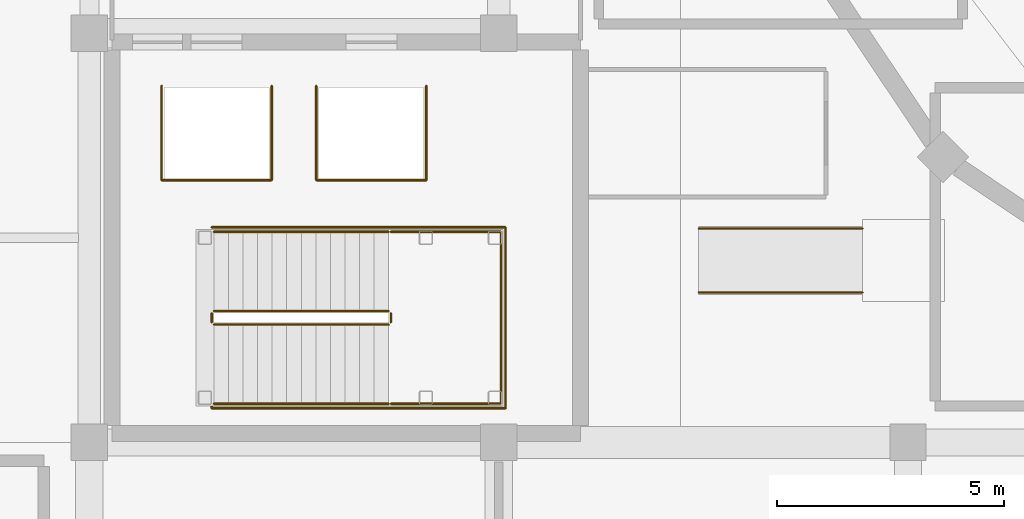
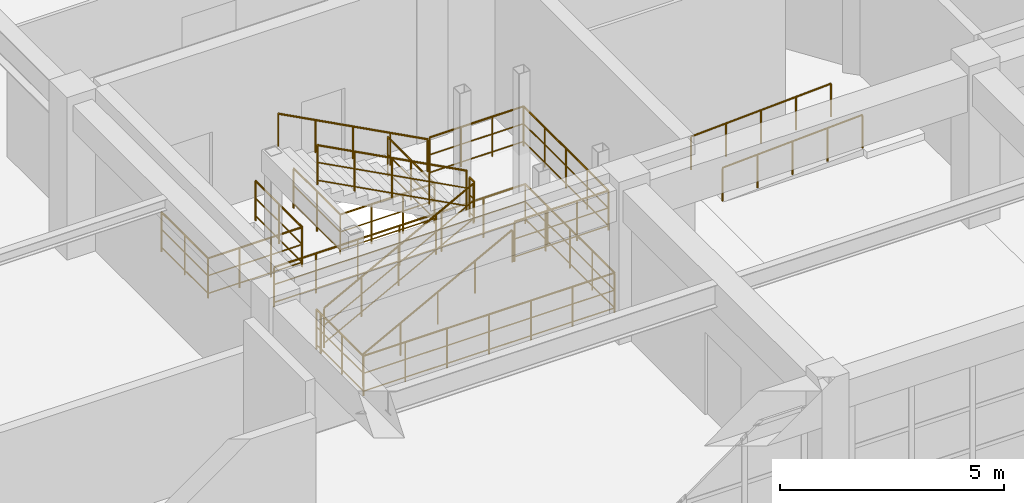
# One storey, part 121 of 133: 12 railings.
"""IFC4 building model written with IfcOpenShell, lengths in metres."""

from ifc_helpers import new_model, si_unit, direction, frame, origin, origin_2d, place, context, subcontext, project, spatial, circle, extrude, material, type_object, element, save


model = new_model("IFC4")

# Units and contexts
model_context = context("Model", 3, precision=1e-05, world=origin(), true_north=direction((0.0, 1.0)))
body_context = subcontext(model_context, "Body", "Model", "MODEL_VIEW")
ifc_project = project(units=[si_unit("LENGTHUNIT", "METRE"), si_unit("AREAUNIT", "SQUARE_METRE"), si_unit("VOLUMEUNIT", "CUBIC_METRE"), si_unit("PLANEANGLEUNIT", "RADIAN"), si_unit("MASSUNIT", "GRAM", prefix="KILO")], contexts=[model_context])

# Site, building, storey
site_placement = place(None, origin())
site = spatial("IfcSite", under=ifc_project, at=site_placement, CompositionType="ELEMENT")
building_placement = place(site_placement, origin())
building = spatial("IfcBuilding", under=site, at=building_placement, Name="Miravela Opera House", CompositionType="ELEMENT")
storey_placement = place(building_placement, frame((0.0, 0.0, 5.10009765625)))
storey = spatial("IfcBuildingStorey", under=building, at=storey_placement, Name="L01", CompositionType="ELEMENT", Elevation=5.10009765625)

# Railings
ifc_material_1 = material(Name="Brushed bronze continuous stair handrail")
railing_type_1 = type_object("IfcRailingType", Name="ARC-RAIL-HAND-900", PredefinedType="HANDRAIL", material=ifc_material_1)
railing_1_placement = place(storey_placement, frame((47.739990234375, 37.85009765625, 0.169921875)))
element("IfcRailing", 1, at=railing_1_placement, inside=storey, type_object=railing_type_1, Name="L01 ST-02 stair handrail 1", PredefinedType="HANDRAIL", context=body_context, shape_type="SweptSolid", body=[
    extrude(circle(Radius=0.02392578125, at=origin_2d()), frame((0.0, 0.0, 0.8759765625), z_axis=(0.883116446401, 0.0, 0.469153857596), x_axis=(0.0, 1.0, 0.0)), (0.0, 0.0, 1.0), 4.348388671875),
    extrude(circle(Radius=0.02099609375, at=origin_2d()), origin(), (0.0, 0.0, 1.0), 0.851806640625),
    extrude(circle(Radius=0.02099609375, at=origin_2d()), frame((0.9599609375, 0.0, 0.510009765625)), (0.0, 0.0, 1.0), 0.851806640625),
    extrude(circle(Radius=0.02099609375, at=origin_2d()), frame((1.919921875, 0.0, 1.02001953125)), (0.0, 0.0, 1.0), 0.851806640625),
    extrude(circle(Radius=0.02099609375, at=origin_2d()), frame((2.880126953125, 0.0, 1.530029296875)), (0.0, 0.0, 1.0), 0.851806640625),
    extrude(circle(Radius=0.02099609375, at=origin_2d()), frame((3.840087890625, 0.0, 2.0400390625)), (0.0, 0.0, 1.0), 0.851806640625),
])
railing_2_placement = place(storey_placement, frame((51.580078125, 41.6298828125, 2.3798828125)))
element("IfcRailing", 2, at=railing_2_placement, inside=storey, type_object=railing_type_1, Name="L01 ST-02 stair handrail 2", PredefinedType="HANDRAIL", context=body_context, shape_type="SweptSolid", body=[
    extrude(circle(Radius=0.02392578125, at=origin_2d()), frame((0.0, 0.0, 0.8759765625), z_axis=(-0.883116446401, 0.0, 0.469153857596), x_axis=(0.0, -1.0, 0.0)), (0.0, 0.0, 1.0), 4.348388671875),
    extrude(circle(Radius=0.02099609375, at=origin_2d()), origin(), (0.0, 0.0, 1.0), 0.851806640625),
    extrude(circle(Radius=0.02099609375, at=origin_2d()), frame((-0.9599609375, 0.0, 0.510009765625)), (0.0, 0.0, 1.0), 0.851806640625),
    extrude(circle(Radius=0.02099609375, at=origin_2d()), frame((-1.919921875, 0.0, 1.02001953125)), (0.0, 0.0, 1.0), 0.851806640625),
    extrude(circle(Radius=0.02099609375, at=origin_2d()), frame((-2.880126953125, 0.0, 1.530029296875)), (0.0, 0.0, 1.0), 0.851806640625),
    extrude(circle(Radius=0.02099609375, at=origin_2d()), frame((-3.840087890625, 0.0, 2.0400390625)), (0.0, 0.0, 1.0), 0.851806640625),
])
ifc_material_2 = material(Name="Brushed stainless accessible ramp handrail")
railing_type_2 = type_object("IfcRailingType", Name="ARC-RAIL-HAND-920", PredefinedType="HANDRAIL", material=ifc_material_2)
for number, where, name in (
    (3, (58.39990234375, 41.699951171875, 0.0), "Box Tier Wheelchair Position Ramp Left Handrail 0147"),
    (4, (58.39990234375, 40.300048828125, 0.0), "Box Tier Wheelchair Position Ramp Right Handrail 0148"),
):
    element("IfcRailing", number, at=place(storey_placement, frame(where)), inside=storey, type_object=railing_type_2, Name=name, PredefinedType="HANDRAIL", context=body_context, shape_type="SweptSolid", body=[
        extrude(circle(Radius=0.02197265625, at=origin_2d()), frame((0.0, 0.0, 0.89794921875), z_axis=(0.998753352096, 0.0, 0.049917348467), x_axis=(0.0, 1.0, 0.0)), (0.0, 0.0, 1.0), 3.6044921875),
        extrude(circle(Radius=0.02099609375, at=origin_2d()), origin(), (0.0, 0.0, 1.0), 0.8759765625),
        extrude(circle(Radius=0.02099609375, at=origin_2d()), frame((0.89990234375, 0.0, 0.044921875)), (0.0, 0.0, 1.0), 0.8759765625),
        extrude(circle(Radius=0.02099609375, at=origin_2d()), frame((1.800048828125, 0.0, 0.08984375)), (0.0, 0.0, 1.0), 0.8759765625),
        extrude(circle(Radius=0.02099609375, at=origin_2d()), frame((2.7001953125, 0.0, 0.135009765625)), (0.0, 0.0, 1.0), 0.8759765625),
        extrude(circle(Radius=0.02099609375, at=origin_2d()), frame((3.60009765625, 0.0, 0.179931640625)), (0.0, 0.0, 1.0), 0.8759765625),
    ])
ifc_material_3 = material(Name="Painted wrought-iron stair guardrail")
railing_type_3 = type_object("IfcRailingType", Name="ARC-RAIL-STAIR-GUARD", PredefinedType="GUARDRAIL", material=ifc_material_3)
railing_3_placement = place(storey_placement, frame((47.739990234375, 39.590087890625, 0.169921875)))
element("IfcRailing", 5, at=railing_3_placement, inside=storey, type_object=railing_type_3, Name="L01 ST-02 stair guard 1", PredefinedType="GUARDRAIL", context=body_context, shape_type="SweptSolid", body=[
    extrude(circle(Radius=0.02392578125, at=origin_2d()), frame((0.0, 0.0, 1.076171875), z_axis=(0.883116446401, 0.0, 0.469153857596), x_axis=(0.0, 1.0, 0.0)), (0.0, 0.0, 1.0), 4.348388671875),
    extrude(circle(Radius=0.01611328125, at=origin_2d()), frame((0.0, 0.0, 0.60498046875), z_axis=(0.883116446401, 0.0, 0.469153857596), x_axis=(0.0, 1.0, 0.0)), (0.0, 0.0, 1.0), 4.348388671875),
    extrude(circle(Radius=0.01611328125, at=origin_2d()), frame((0.0, 0.0, 0.1201171875), z_axis=(0.883116446401, 0.0, 0.469153857596), x_axis=(0.0, 1.0, 0.0)), (0.0, 0.0, 1.0), 4.348388671875),
    extrude(circle(Radius=0.02099609375, at=origin_2d()), origin(), (0.0, 0.0, 1.0), 1.052001953125),
    extrude(circle(Radius=0.02099609375, at=origin_2d()), frame((0.9599609375, 0.0, 0.510009765625)), (0.0, 0.0, 1.0), 1.052001953125),
    extrude(circle(Radius=0.02099609375, at=origin_2d()), frame((1.919921875, 0.0, 1.02001953125)), (0.0, 0.0, 1.0), 1.052001953125),
    extrude(circle(Radius=0.02099609375, at=origin_2d()), frame((2.880126953125, 0.0, 1.530029296875)), (0.0, 0.0, 1.0), 1.052001953125),
    extrude(circle(Radius=0.02099609375, at=origin_2d()), frame((3.840087890625, 0.0, 2.0400390625)), (0.0, 0.0, 1.0), 1.052001953125),
])
railing_4_placement = place(storey_placement, frame((51.6298828125, 39.639892578125, 2.2099609375)))
element("IfcRailing", 6, at=railing_4_placement, inside=storey, type_object=railing_type_3, Name="L01 ST-02 stair guard 2", PredefinedType="GUARDRAIL", context=body_context, shape_type="SweptSolid", body=[
    extrude(circle(Radius=0.02392578125, at=origin_2d()), frame((0.0, 0.0, 1.076171875), z_axis=(0.0, 1.0, 0.0), x_axis=(-1.0, 0.0, 0.0)), (0.0, 0.0, 1.0), 0.2001953125),
    extrude(circle(Radius=0.01611328125, at=origin_2d()), frame((0.0, 0.0, 0.60498046875), z_axis=(0.0, 1.0, 0.0), x_axis=(-1.0, 0.0, 0.0)), (0.0, 0.0, 1.0), 0.2001953125),
    extrude(circle(Radius=0.01611328125, at=origin_2d()), frame((0.0, 0.0, 0.1201171875), z_axis=(0.0, 1.0, 0.0), x_axis=(-1.0, 0.0, 0.0)), (0.0, 0.0, 1.0), 0.2001953125),
    extrude(circle(Radius=0.02099609375, at=origin_2d()), origin(), (0.0, 0.0, 1.0), 1.052001953125),
    extrude(circle(Radius=0.02099609375, at=origin_2d()), frame((0.0, 0.2001953125, 0.0)), (0.0, 0.0, 1.0), 1.052001953125),
])
railing_5_placement = place(storey_placement, frame((51.580078125, 39.889892578125, 2.3798828125)))
element("IfcRailing", 7, at=railing_5_placement, inside=storey, type_object=railing_type_3, Name="L01 ST-02 stair guard 3", PredefinedType="GUARDRAIL", context=body_context, shape_type="SweptSolid", body=[
    extrude(circle(Radius=0.02392578125, at=origin_2d()), frame((0.0, 0.0, 1.076171875), z_axis=(-0.883116446401, 0.0, 0.469153857596), x_axis=(0.0, -1.0, 0.0)), (0.0, 0.0, 1.0), 4.348388671875),
    extrude(circle(Radius=0.01611328125, at=origin_2d()), frame((0.0, 0.0, 0.60498046875), z_axis=(-0.883116446401, 0.0, 0.469153857596), x_axis=(0.0, -1.0, 0.0)), (0.0, 0.0, 1.0), 4.348388671875),
    extrude(circle(Radius=0.01611328125, at=origin_2d()), frame((0.0, 0.0, 0.1201171875), z_axis=(-0.883116446401, 0.0, 0.469153857596), x_axis=(0.0, -1.0, 0.0)), (0.0, 0.0, 1.0), 4.348388671875),
    extrude(circle(Radius=0.02099609375, at=origin_2d()), origin(), (0.0, 0.0, 1.0), 1.052001953125),
    extrude(circle(Radius=0.02099609375, at=origin_2d()), frame((-0.9599609375, 0.0, 0.510009765625)), (0.0, 0.0, 1.0), 1.052001953125),
    extrude(circle(Radius=0.02099609375, at=origin_2d()), frame((-1.919921875, 0.0, 1.02001953125)), (0.0, 0.0, 1.0), 1.052001953125),
    extrude(circle(Radius=0.02099609375, at=origin_2d()), frame((-2.880126953125, 0.0, 1.530029296875)), (0.0, 0.0, 1.0), 1.052001953125),
    extrude(circle(Radius=0.02099609375, at=origin_2d()), frame((-3.840087890625, 0.0, 2.0400390625)), (0.0, 0.0, 1.0), 1.052001953125),
])
railing_6_placement = place(storey_placement, frame((47.68994140625, 39.639892578125, 0.0)))
element("IfcRailing", 8, at=railing_6_placement, inside=storey, type_object=railing_type_3, Name="L01 ST-02 stair guard 4", PredefinedType="GUARDRAIL", context=body_context, shape_type="SweptSolid", body=[
    extrude(circle(Radius=0.02392578125, at=origin_2d()), frame((0.0, 0.0, 1.076171875), z_axis=(0.0, 1.0, 0.0), x_axis=(-1.0, 0.0, 0.0)), (0.0, 0.0, 1.0), 0.2001953125),
    extrude(circle(Radius=0.01611328125, at=origin_2d()), frame((0.0, 0.0, 0.60498046875), z_axis=(0.0, 1.0, 0.0), x_axis=(-1.0, 0.0, 0.0)), (0.0, 0.0, 1.0), 0.2001953125),
    extrude(circle(Radius=0.01611328125, at=origin_2d()), frame((0.0, 0.0, 0.1201171875), z_axis=(0.0, 1.0, 0.0), x_axis=(-1.0, 0.0, 0.0)), (0.0, 0.0, 1.0), 0.2001953125),
    extrude(circle(Radius=0.02099609375, at=origin_2d()), origin(), (0.0, 0.0, 1.0), 1.052001953125),
    extrude(circle(Radius=0.02099609375, at=origin_2d()), frame((0.0, 0.2001953125, 0.0)), (0.0, 0.0, 1.0), 1.052001953125),
])
railing_7_placement = place(storey_placement, frame((51.6298828125, 37.85009765625, 2.2099609375)))
element("IfcRailing", 9, at=railing_7_placement, inside=storey, type_object=railing_type_3, Name="Stair ST-02 Half-Landing Perimeter Guard (L01) 0015", PredefinedType="GUARDRAIL", context=body_context, shape_type="SweptSolid", body=[
    extrude(circle(Radius=0.02392578125, at=origin_2d()), frame((0.0, 0.0, 1.076171875), z_axis=(1.0, 0.0, 0.0), x_axis=(0.0, 1.0, 0.0)), (0.0, 0.0, 1.0), 2.420166015625),
    extrude(circle(Radius=0.01611328125, at=origin_2d()), frame((0.0, 0.0, 0.60498046875), z_axis=(1.0, 0.0, 0.0), x_axis=(0.0, 1.0, 0.0)), (0.0, 0.0, 1.0), 2.420166015625),
    extrude(circle(Radius=0.01611328125, at=origin_2d()), frame((0.0, 0.0, 0.1201171875), z_axis=(1.0, 0.0, 0.0), x_axis=(0.0, 1.0, 0.0)), (0.0, 0.0, 1.0), 2.420166015625),
    extrude(circle(Radius=0.02392578125, at=origin_2d()), frame((2.420166015625, 0.0, 1.076171875), z_axis=(0.0, 1.0, 0.0), x_axis=(-1.0, 0.0, 0.0)), (0.0, 0.0, 1.0), 3.77978515625),
    extrude(circle(Radius=0.01611328125, at=origin_2d()), frame((2.420166015625, 0.0, 0.60498046875), z_axis=(0.0, 1.0, 0.0), x_axis=(-1.0, 0.0, 0.0)), (0.0, 0.0, 1.0), 3.77978515625),
    extrude(circle(Radius=0.01611328125, at=origin_2d()), frame((2.420166015625, 0.0, 0.1201171875), z_axis=(0.0, 1.0, 0.0), x_axis=(-1.0, 0.0, 0.0)), (0.0, 0.0, 1.0), 3.77978515625),
    extrude(circle(Radius=0.02392578125, at=origin_2d()), frame((2.420166015625, 3.77978515625, 1.076171875), z_axis=(-1.0, 0.0, 0.0), x_axis=(0.0, -1.0, 0.0)), (0.0, 0.0, 1.0), 2.420166015625),
    extrude(circle(Radius=0.01611328125, at=origin_2d()), frame((2.420166015625, 3.77978515625, 0.60498046875), z_axis=(-1.0, 0.0, 0.0), x_axis=(0.0, -1.0, 0.0)), (0.0, 0.0, 1.0), 2.420166015625),
    extrude(circle(Radius=0.01611328125, at=origin_2d()), frame((2.420166015625, 3.77978515625, 0.1201171875), z_axis=(-1.0, 0.0, 0.0), x_axis=(0.0, -1.0, 0.0)), (0.0, 0.0, 1.0), 2.420166015625),
    extrude(circle(Radius=0.02099609375, at=origin_2d()), origin(), (0.0, 0.0, 1.0), 1.052001953125),
    extrude(circle(Radius=0.02099609375, at=origin_2d()), frame((0.806640625, 0.0, 0.0)), (0.0, 0.0, 1.0), 1.052001953125),
    extrude(circle(Radius=0.02099609375, at=origin_2d()), frame((1.613525390625, 0.0, 0.0)), (0.0, 0.0, 1.0), 1.052001953125),
    extrude(circle(Radius=0.02099609375, at=origin_2d()), frame((2.420166015625, 0.0, 0.0)), (0.0, 0.0, 1.0), 1.052001953125),
    extrude(circle(Radius=0.02099609375, at=origin_2d()), frame((2.420166015625, 0.94482421875, 0.0)), (0.0, 0.0, 1.0), 1.052001953125),
    extrude(circle(Radius=0.02099609375, at=origin_2d()), frame((2.420166015625, 1.889892578125, 0.0)), (0.0, 0.0, 1.0), 1.052001953125),
    extrude(circle(Radius=0.02099609375, at=origin_2d()), frame((2.420166015625, 2.8349609375, 0.0)), (0.0, 0.0, 1.0), 1.052001953125),
    extrude(circle(Radius=0.02099609375, at=origin_2d()), frame((2.420166015625, 3.77978515625, 0.0)), (0.0, 0.0, 1.0), 1.052001953125),
    extrude(circle(Radius=0.02099609375, at=origin_2d()), frame((1.613525390625, 3.77978515625, 0.0)), (0.0, 0.0, 1.0), 1.052001953125),
    extrude(circle(Radius=0.02099609375, at=origin_2d()), frame((0.806640625, 3.77978515625, 0.0)), (0.0, 0.0, 1.0), 1.052001953125),
    extrude(circle(Radius=0.02099609375, at=origin_2d()), frame((0.0, 3.77978515625, 0.0)), (0.0, 0.0, 1.0), 1.052001953125),
])
railing_8_placement = place(storey_placement, frame((47.68994140625, 39.669921875, 0.0)))
element("IfcRailing", 10, at=railing_8_placement, inside=storey, type_object=railing_type_3, Name="Stair ST-02 Well Slab Opening Guard (L01) 0020", PredefinedType="GUARDRAIL", context=body_context, shape_type="SweptSolid", body=[
    extrude(circle(Radius=0.02392578125, at=origin_2d()), frame((0.0, 0.0, 1.076171875), z_axis=(0.0, -1.0, 0.0), x_axis=(1.0, 0.0, 0.0)), (0.0, 0.0, 1.0), 1.919921875),
    extrude(circle(Radius=0.01611328125, at=origin_2d()), frame((0.0, 0.0, 0.60498046875), z_axis=(0.0, -1.0, 0.0), x_axis=(1.0, 0.0, 0.0)), (0.0, 0.0, 1.0), 1.919921875),
    extrude(circle(Radius=0.01611328125, at=origin_2d()), frame((0.0, 0.0, 0.1201171875), z_axis=(0.0, -1.0, 0.0), x_axis=(1.0, 0.0, 0.0)), (0.0, 0.0, 1.0), 1.919921875),
    extrude(circle(Radius=0.02392578125, at=origin_2d()), frame((0.0, -1.919921875, 1.076171875), z_axis=(1.0, 0.0, 0.0), x_axis=(0.0, 1.0, 0.0)), (0.0, 0.0, 1.0), 6.4599609375),
    extrude(circle(Radius=0.01611328125, at=origin_2d()), frame((0.0, -1.919921875, 0.60498046875), z_axis=(1.0, 0.0, 0.0), x_axis=(0.0, 1.0, 0.0)), (0.0, 0.0, 1.0), 6.4599609375),
    extrude(circle(Radius=0.01611328125, at=origin_2d()), frame((0.0, -1.919921875, 0.1201171875), z_axis=(1.0, 0.0, 0.0), x_axis=(0.0, 1.0, 0.0)), (0.0, 0.0, 1.0), 6.4599609375),
    extrude(circle(Radius=0.02392578125, at=origin_2d()), frame((6.4599609375, -1.919921875, 1.076171875), z_axis=(0.0, 1.0, 0.0), x_axis=(-1.0, 0.0, 0.0)), (0.0, 0.0, 1.0), 3.97998046875),
    extrude(circle(Radius=0.01611328125, at=origin_2d()), frame((6.4599609375, -1.919921875, 0.60498046875), z_axis=(0.0, 1.0, 0.0), x_axis=(-1.0, 0.0, 0.0)), (0.0, 0.0, 1.0), 3.97998046875),
    extrude(circle(Radius=0.01611328125, at=origin_2d()), frame((6.4599609375, -1.919921875, 0.1201171875), z_axis=(0.0, 1.0, 0.0), x_axis=(-1.0, 0.0, 0.0)), (0.0, 0.0, 1.0), 3.97998046875),
    extrude(circle(Radius=0.02392578125, at=origin_2d()), frame((6.4599609375, 2.06005859375, 1.076171875), z_axis=(-1.0, 0.0, 0.0), x_axis=(0.0, -1.0, 0.0)), (0.0, 0.0, 1.0), 6.4599609375),
    extrude(circle(Radius=0.01611328125, at=origin_2d()), frame((6.4599609375, 2.06005859375, 0.60498046875), z_axis=(-1.0, 0.0, 0.0), x_axis=(0.0, -1.0, 0.0)), (0.0, 0.0, 1.0), 6.4599609375),
    extrude(circle(Radius=0.01611328125, at=origin_2d()), frame((6.4599609375, 2.06005859375, 0.1201171875), z_axis=(-1.0, 0.0, 0.0), x_axis=(0.0, -1.0, 0.0)), (0.0, 0.0, 1.0), 6.4599609375),
    extrude(circle(Radius=0.02099609375, at=origin_2d()), origin(), (0.0, 0.0, 1.0), 1.052001953125),
    extrude(circle(Radius=0.02099609375, at=origin_2d()), frame((0.0, -0.9599609375, 0.0)), (0.0, 0.0, 1.0), 1.052001953125),
    extrude(circle(Radius=0.02099609375, at=origin_2d()), frame((0.0, -1.919921875, 0.0)), (0.0, 0.0, 1.0), 1.052001953125),
    extrude(circle(Radius=0.02099609375, at=origin_2d()), frame((1.07666015625, -1.919921875, 0.0)), (0.0, 0.0, 1.0), 1.052001953125),
    extrude(circle(Radius=0.02099609375, at=origin_2d()), frame((2.1533203125, -1.919921875, 0.0)), (0.0, 0.0, 1.0), 1.052001953125),
    extrude(circle(Radius=0.02099609375, at=origin_2d()), frame((3.22998046875, -1.919921875, 0.0)), (0.0, 0.0, 1.0), 1.052001953125),
    extrude(circle(Radius=0.02099609375, at=origin_2d()), frame((4.306640625, -1.919921875, 0.0)), (0.0, 0.0, 1.0), 1.052001953125),
    extrude(circle(Radius=0.02099609375, at=origin_2d()), frame((5.38330078125, -1.919921875, 0.0)), (0.0, 0.0, 1.0), 1.052001953125),
    extrude(circle(Radius=0.02099609375, at=origin_2d()), frame((6.4599609375, -1.919921875, 0.0)), (0.0, 0.0, 1.0), 1.052001953125),
    extrude(circle(Radius=0.02099609375, at=origin_2d()), frame((6.4599609375, -0.9248046875, 0.0)), (0.0, 0.0, 1.0), 1.052001953125),
    extrude(circle(Radius=0.02099609375, at=origin_2d()), frame((6.4599609375, 0.070068359375, 0.0)), (0.0, 0.0, 1.0), 1.052001953125),
    extrude(circle(Radius=0.02099609375, at=origin_2d()), frame((6.4599609375, 1.06494140625, 0.0)), (0.0, 0.0, 1.0), 1.052001953125),
    extrude(circle(Radius=0.02099609375, at=origin_2d()), frame((6.4599609375, 2.06005859375, 0.0)), (0.0, 0.0, 1.0), 1.052001953125),
    extrude(circle(Radius=0.02099609375, at=origin_2d()), frame((5.38330078125, 2.06005859375, 0.0)), (0.0, 0.0, 1.0), 1.052001953125),
    extrude(circle(Radius=0.02099609375, at=origin_2d()), frame((4.306640625, 2.06005859375, 0.0)), (0.0, 0.0, 1.0), 1.052001953125),
    extrude(circle(Radius=0.02099609375, at=origin_2d()), frame((3.22998046875, 2.06005859375, 0.0)), (0.0, 0.0, 1.0), 1.052001953125),
    extrude(circle(Radius=0.02099609375, at=origin_2d()), frame((2.1533203125, 2.06005859375, 0.0)), (0.0, 0.0, 1.0), 1.052001953125),
    extrude(circle(Radius=0.02099609375, at=origin_2d()), frame((1.07666015625, 2.06005859375, 0.0)), (0.0, 0.0, 1.0), 1.052001953125),
    extrude(circle(Radius=0.02099609375, at=origin_2d()), frame((0.0, 2.06005859375, 0.0)), (0.0, 0.0, 1.0), 1.052001953125),
])
railing_9_placement = place(storey_placement, frame((46.590087890625, 44.840087890625, 0.0)))
element("IfcRailing", 11, at=railing_9_placement, inside=storey, type_object=railing_type_3, Name="Lift PL-02 Hoistway Slab Opening Guard (L01) 0106", PredefinedType="GUARDRAIL", context=body_context, shape_type="SweptSolid", body=[
    extrude(circle(Radius=0.02392578125, at=origin_2d()), frame((0.0, 0.0, 1.076171875), z_axis=(0.0, -1.0, 0.0), x_axis=(1.0, 0.0, 0.0)), (0.0, 0.0, 1.0), 2.0751953125),
    extrude(circle(Radius=0.01611328125, at=origin_2d()), frame((0.0, 0.0, 0.60498046875), z_axis=(0.0, -1.0, 0.0), x_axis=(1.0, 0.0, 0.0)), (0.0, 0.0, 1.0), 2.0751953125),
    extrude(circle(Radius=0.01611328125, at=origin_2d()), frame((0.0, 0.0, 0.1201171875), z_axis=(0.0, -1.0, 0.0), x_axis=(1.0, 0.0, 0.0)), (0.0, 0.0, 1.0), 2.0751953125),
    extrude(circle(Radius=0.02392578125, at=origin_2d()), frame((0.0, -2.0751953125, 1.076171875), z_axis=(1.0, 0.0, 0.0), x_axis=(0.0, 1.0, 0.0)), (0.0, 0.0, 1.0), 2.419921875),
    extrude(circle(Radius=0.01611328125, at=origin_2d()), frame((0.0, -2.0751953125, 0.60498046875), z_axis=(1.0, 0.0, 0.0), x_axis=(0.0, 1.0, 0.0)), (0.0, 0.0, 1.0), 2.419921875),
    extrude(circle(Radius=0.01611328125, at=origin_2d()), frame((0.0, -2.0751953125, 0.1201171875), z_axis=(1.0, 0.0, 0.0), x_axis=(0.0, 1.0, 0.0)), (0.0, 0.0, 1.0), 2.419921875),
    extrude(circle(Radius=0.02392578125, at=origin_2d()), frame((2.419921875, -2.0751953125, 1.076171875), z_axis=(0.0, 1.0, 0.0), x_axis=(-1.0, 0.0, 0.0)), (0.0, 0.0, 1.0), 2.0751953125),
    extrude(circle(Radius=0.01611328125, at=origin_2d()), frame((2.419921875, -2.0751953125, 0.60498046875), z_axis=(0.0, 1.0, 0.0), x_axis=(-1.0, 0.0, 0.0)), (0.0, 0.0, 1.0), 2.0751953125),
    extrude(circle(Radius=0.01611328125, at=origin_2d()), frame((2.419921875, -2.0751953125, 0.1201171875), z_axis=(0.0, 1.0, 0.0), x_axis=(-1.0, 0.0, 0.0)), (0.0, 0.0, 1.0), 2.0751953125),
    extrude(circle(Radius=0.02099609375, at=origin_2d()), origin(), (0.0, 0.0, 1.0), 1.052001953125),
    extrude(circle(Radius=0.02099609375, at=origin_2d()), frame((0.0, -1.03759765625, 0.0)), (0.0, 0.0, 1.0), 1.052001953125),
    extrude(circle(Radius=0.02099609375, at=origin_2d()), frame((0.0, -2.0751953125, 0.0)), (0.0, 0.0, 1.0), 1.052001953125),
    extrude(circle(Radius=0.02099609375, at=origin_2d()), frame((0.806640625, -2.0751953125, 0.0)), (0.0, 0.0, 1.0), 1.052001953125),
    extrude(circle(Radius=0.02099609375, at=origin_2d()), frame((1.61328125, -2.0751953125, 0.0)), (0.0, 0.0, 1.0), 1.052001953125),
    extrude(circle(Radius=0.02099609375, at=origin_2d()), frame((2.419921875, -2.0751953125, 0.0)), (0.0, 0.0, 1.0), 1.052001953125),
    extrude(circle(Radius=0.02099609375, at=origin_2d()), frame((2.419921875, -1.03759765625, 0.0)), (0.0, 0.0, 1.0), 1.052001953125),
    extrude(circle(Radius=0.02099609375, at=origin_2d()), frame((2.419921875, 0.0, 0.0)), (0.0, 0.0, 1.0), 1.052001953125),
])
railing_10_placement = place(storey_placement, frame((49.989990234375, 44.840087890625, 0.0)))
element("IfcRailing", 12, at=railing_10_placement, inside=storey, type_object=railing_type_3, Name="Lift PL-03 Hoistway Slab Opening Guard (L01) 0112", PredefinedType="GUARDRAIL", context=body_context, shape_type="SweptSolid", body=[
    extrude(circle(Radius=0.02392578125, at=origin_2d()), frame((0.0, 0.0, 1.076171875), z_axis=(0.0, -1.0, 0.0), x_axis=(1.0, 0.0, 0.0)), (0.0, 0.0, 1.0), 2.0751953125),
    extrude(circle(Radius=0.01611328125, at=origin_2d()), frame((0.0, 0.0, 0.60498046875), z_axis=(0.0, -1.0, 0.0), x_axis=(1.0, 0.0, 0.0)), (0.0, 0.0, 1.0), 2.0751953125),
    extrude(circle(Radius=0.01611328125, at=origin_2d()), frame((0.0, 0.0, 0.1201171875), z_axis=(0.0, -1.0, 0.0), x_axis=(1.0, 0.0, 0.0)), (0.0, 0.0, 1.0), 2.0751953125),
    extrude(circle(Radius=0.02392578125, at=origin_2d()), frame((0.0, -2.0751953125, 1.076171875), z_axis=(1.0, 0.0, 0.0), x_axis=(0.0, 1.0, 0.0)), (0.0, 0.0, 1.0), 2.419921875),
    extrude(circle(Radius=0.01611328125, at=origin_2d()), frame((0.0, -2.0751953125, 0.60498046875), z_axis=(1.0, 0.0, 0.0), x_axis=(0.0, 1.0, 0.0)), (0.0, 0.0, 1.0), 2.419921875),
    extrude(circle(Radius=0.01611328125, at=origin_2d()), frame((0.0, -2.0751953125, 0.1201171875), z_axis=(1.0, 0.0, 0.0), x_axis=(0.0, 1.0, 0.0)), (0.0, 0.0, 1.0), 2.419921875),
    extrude(circle(Radius=0.02392578125, at=origin_2d()), frame((2.419921875, -2.0751953125, 1.076171875), z_axis=(0.0, 1.0, 0.0), x_axis=(-1.0, 0.0, 0.0)), (0.0, 0.0, 1.0), 2.0751953125),
    extrude(circle(Radius=0.01611328125, at=origin_2d()), frame((2.419921875, -2.0751953125, 0.60498046875), z_axis=(0.0, 1.0, 0.0), x_axis=(-1.0, 0.0, 0.0)), (0.0, 0.0, 1.0), 2.0751953125),
    extrude(circle(Radius=0.01611328125, at=origin_2d()), frame((2.419921875, -2.0751953125, 0.1201171875), z_axis=(0.0, 1.0, 0.0), x_axis=(-1.0, 0.0, 0.0)), (0.0, 0.0, 1.0), 2.0751953125),
    extrude(circle(Radius=0.02099609375, at=origin_2d()), origin(), (0.0, 0.0, 1.0), 1.052001953125),
    extrude(circle(Radius=0.02099609375, at=origin_2d()), frame((0.0, -1.03759765625, 0.0)), (0.0, 0.0, 1.0), 1.052001953125),
    extrude(circle(Radius=0.02099609375, at=origin_2d()), frame((0.0, -2.0751953125, 0.0)), (0.0, 0.0, 1.0), 1.052001953125),
    extrude(circle(Radius=0.02099609375, at=origin_2d()), frame((0.806640625, -2.0751953125, 0.0)), (0.0, 0.0, 1.0), 1.052001953125),
    extrude(circle(Radius=0.02099609375, at=origin_2d()), frame((1.61328125, -2.0751953125, 0.0)), (0.0, 0.0, 1.0), 1.052001953125),
    extrude(circle(Radius=0.02099609375, at=origin_2d()), frame((2.419921875, -2.0751953125, 0.0)), (0.0, 0.0, 1.0), 1.052001953125),
    extrude(circle(Radius=0.02099609375, at=origin_2d()), frame((2.419921875, -1.03759765625, 0.0)), (0.0, 0.0, 1.0), 1.052001953125),
    extrude(circle(Radius=0.02099609375, at=origin_2d()), frame((2.419921875, 0.0, 0.0)), (0.0, 0.0, 1.0), 1.052001953125),
])

save(model, "model.ifc")
